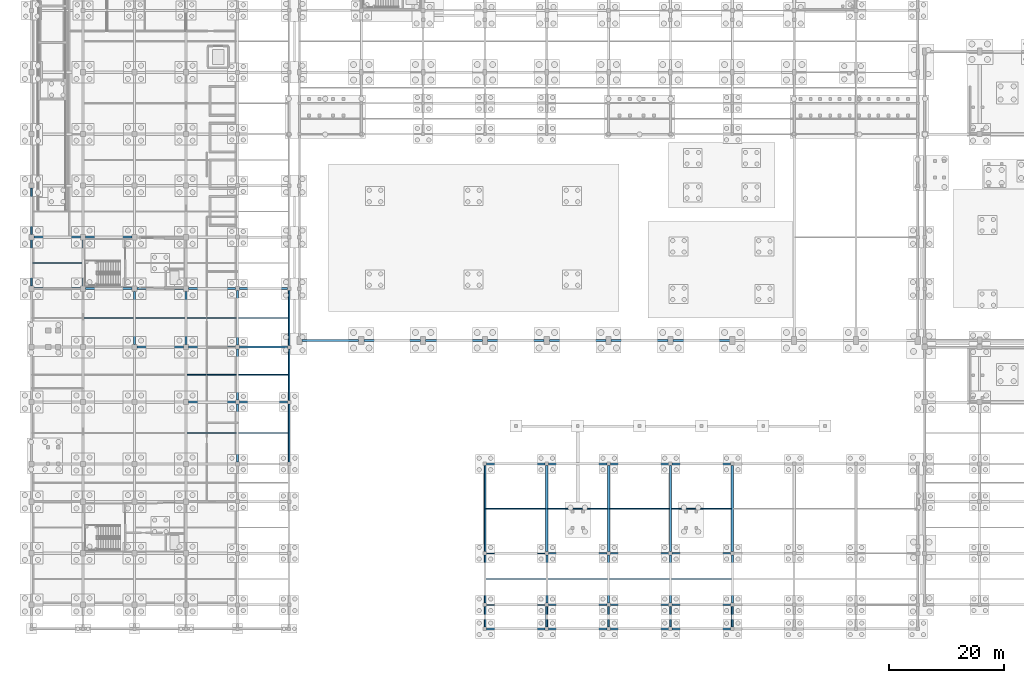
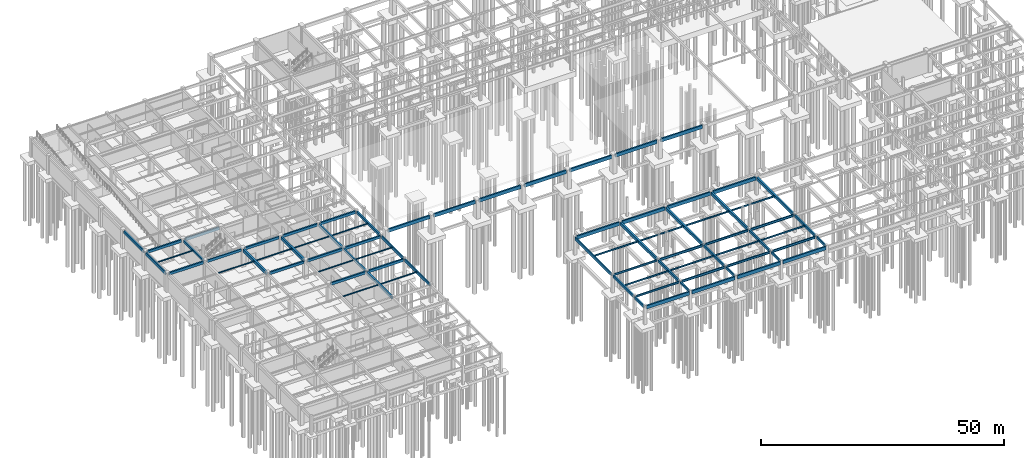
# One storey, part 15 of 33: 78 beams.
"""IFC4 building model written with IfcOpenShell, lengths in metres."""

from ifc_helpers import new_model, si_unit, direction, frame, origin, origin_2d, place, context, subcontext, project, spatial, rectangle, i_section, extrude, material, material_profile, profile_set, type_object, element, save


model = new_model("IFC4")

# Units and contexts
model_context = context("Model", 3, precision=1e-05, world=origin(), true_north=direction((0.0, 1.0)))
body_context = subcontext(model_context, "Body", "Model", "MODEL_VIEW")
ifc_project = project(units=[si_unit("LENGTHUNIT", "METRE"), si_unit("AREAUNIT", "SQUARE_METRE"), si_unit("VOLUMEUNIT", "CUBIC_METRE"), si_unit("PLANEANGLEUNIT", "RADIAN"), si_unit("MASSUNIT", "GRAM", prefix="KILO")], contexts=[model_context])

# Site, building, storey
site_placement = place(None, origin())
site = spatial("IfcSite", under=ifc_project, at=site_placement, CompositionType="ELEMENT")
building_placement = place(site_placement, origin())
building = spatial("IfcBuilding", under=site, at=building_placement, Name="Suirenkawa Promenade Aquatics Centre", CompositionType="ELEMENT")
storey_placement = place(building_placement, frame((0.0, 0.0, -4.800048828125)))
storey = spatial("IfcBuildingStorey", under=building, at=storey_placement, Name="B1", CompositionType="ELEMENT", Elevation=-4.800048828125)

# Beams
ifc_material_1 = material(Name="Steel IS 2062 E350 (Grade 350)", Category="steel")
ifc_material_profile_1 = material_profile(ifc_material_1, i_section(OverallWidth=0.139892578125, OverallDepth=0.300048828125, WebThickness=0.008056640625, FlangeThickness=0.012939453125, at=origin_2d()), Name="ISMB 300", Category="steel")
ifc_profile_set_1 = profile_set([ifc_material_profile_1], Name="Steel IS 2062 E350 (Grade 350)")
beam_type_1 = type_object("IfcBeamType", Name="BT-JOIST-ISMB300", PredefinedType="JOIST", material=ifc_profile_set_1)
beam_1_placement = place(storey_placement, frame((0.14404296875, 63.89990234375, 4.34814453125), z_axis=(1.0, 0.0, 0.0), x_axis=(0.0, 1.0, 0.0)))
element("IfcBeam", 1, at=beam_1_placement, inside=storey, type_object=beam_type_1, Name="Secondary floor joist JS-02 BM-0151", PredefinedType="JOIST", context=body_context, shape_type="SweptSolid", body=[
    extrude(i_section(OverallWidth=0.139892578125, OverallDepth=0.300048828125, WebThickness=0.008056640625, FlangeThickness=0.012939453125, at=origin_2d()), origin(), (0.0, 0.0, 1.0), 8.68701171875),
])
for number, where, z_axis, x_axis, name in (
    (2, (9.194091796875, 54.300048828125, 4.34814453125), (1.0, 0.0, 0.0), (0.0, 1.0, 0.0), "Secondary floor joist JS-02 BM-0157"),
    (3, (18.194091796875, 54.300048828125, 4.34814453125), (1.0, 0.0, 0.0), (0.0, 1.0, 0.0), "Secondary floor joist JS-02 BM-0168"),
    (4, (27.194091796875, 34.199951171875, 4.34814453125), (1.0, 0.0, 0.0), (0.0, 1.0, 0.0), "Secondary floor joist JS-02 BM-0178"),
):
    element("IfcBeam", number, at=place(storey_placement, frame(where, z_axis=z_axis, x_axis=x_axis)), inside=storey, type_object=beam_type_1, Name=name, PredefinedType="JOIST", context=body_context, shape_type="SweptSolid", body=[
        extrude(i_section(OverallWidth=0.139892578125, OverallDepth=0.300048828125, WebThickness=0.008056640625, FlangeThickness=0.012939453125, at=origin_2d()), origin(), (0.0, 0.0, 1.0), 8.61181640625),
    ])
beam_2_placement = place(storey_placement, frame((27.1689453125, 44.39990234375, 4.34814453125), z_axis=(1.0, 0.0, 0.0), x_axis=(0.0, 1.0, 0.0)))
element("IfcBeam", 5, at=beam_2_placement, inside=storey, type_object=beam_type_1, Name="Secondary floor joist JS-02 BM-0179", PredefinedType="JOIST", context=body_context, shape_type="SweptSolid", body=[
    extrude(i_section(OverallWidth=0.139892578125, OverallDepth=0.300048828125, WebThickness=0.008056640625, FlangeThickness=0.012939453125, at=origin_2d()), origin(), (0.0, 0.0, 1.0), 8.662109375),
])
beam_3_placement = place(storey_placement, frame((27.194091796875, 54.300048828125, 4.34814453125), z_axis=(1.0, 0.0, 0.0), x_axis=(0.0, 1.0, 0.0)))
element("IfcBeam", 6, at=beam_3_placement, inside=storey, type_object=beam_type_1, Name="Secondary floor joist JS-02 BM-0180", PredefinedType="JOIST", context=body_context, shape_type="SweptSolid", body=[
    extrude(i_section(OverallWidth=0.139892578125, OverallDepth=0.300048828125, WebThickness=0.008056640625, FlangeThickness=0.012939453125, at=origin_2d()), origin(), (0.0, 0.0, 1.0), 8.61181640625),
])
beam_4_placement = place(storey_placement, frame((36.194091796875, 34.199951171875, 4.34814453125), z_axis=(1.0, 0.0, 0.0), x_axis=(0.0, 1.0, 0.0)))
element("IfcBeam", 7, at=beam_4_placement, inside=storey, type_object=beam_type_1, Name="Secondary floor joist JS-02 BM-0190", PredefinedType="JOIST", context=body_context, shape_type="SweptSolid", body=[
    extrude(i_section(OverallWidth=0.139892578125, OverallDepth=0.300048828125, WebThickness=0.008056640625, FlangeThickness=0.012939453125, at=origin_2d()), origin(), (0.0, 0.0, 1.0), 8.661865234375),
])
beam_5_placement = place(storey_placement, frame((36.1689453125, 44.39990234375, 4.34814453125), z_axis=(1.0, 0.0, 0.0), x_axis=(0.0, 1.0, 0.0)))
element("IfcBeam", 8, at=beam_5_placement, inside=storey, type_object=beam_type_1, Name="Secondary floor joist JS-02 BM-0191", PredefinedType="JOIST", context=body_context, shape_type="SweptSolid", body=[
    extrude(i_section(OverallWidth=0.139892578125, OverallDepth=0.300048828125, WebThickness=0.008056640625, FlangeThickness=0.012939453125, at=origin_2d()), origin(), (0.0, 0.0, 1.0), 8.68701171875),
])
beam_6_placement = place(storey_placement, frame((36.194091796875, 54.300048828125, 4.34814453125), z_axis=(1.0, 0.0, 0.0), x_axis=(0.0, 1.0, 0.0)))
element("IfcBeam", 9, at=beam_6_placement, inside=storey, type_object=beam_type_1, Name="Secondary floor joist JS-02 BM-0192", PredefinedType="JOIST", context=body_context, shape_type="SweptSolid", body=[
    extrude(i_section(OverallWidth=0.139892578125, OverallDepth=0.300048828125, WebThickness=0.008056640625, FlangeThickness=0.012939453125, at=origin_2d()), origin(), (0.0, 0.0, 1.0), 8.661865234375),
])
ifc_material_profile_2 = material_profile(ifc_material_1, i_section(OverallWidth=0.139892578125, OverallDepth=0.39990234375, WebThickness=0.009033203125, FlangeThickness=0.01611328125, at=origin_2d()), Name="ISMB 400", Category="steel")
ifc_profile_set_2 = profile_set([ifc_material_profile_2], Name="Steel IS 2062 E350 (Grade 350)")
beam_type_2 = type_object("IfcBeamType", Name="BT-JOIST-ISMB400", PredefinedType="JOIST", material=ifc_profile_set_2)
beam_7_placement = place(storey_placement, frame((79.343994140625, 8.699951171875, 4.318115234375), z_axis=(1.0, 0.0, 0.0), x_axis=(0.0, 1.0, 0.0)))
element("IfcBeam", 10, at=beam_7_placement, inside=storey, type_object=beam_type_2, Name="Secondary floor joist JS-04 BM-1483", PredefinedType="JOIST", context=body_context, shape_type="SweptSolid", body=[
    extrude(i_section(OverallWidth=0.139892578125, OverallDepth=0.39990234375, WebThickness=0.009033203125, FlangeThickness=0.01611328125, at=origin_2d()), origin(), (0.0, 0.0, 1.0), 10.487060546875),
])
beam_8_placement = place(storey_placement, frame((79.343994140625, 21.0, 4.318115234375), z_axis=(1.0, 0.0, 0.0), x_axis=(0.0, 1.0, 0.0)))
element("IfcBeam", 11, at=beam_8_placement, inside=storey, type_object=beam_type_2, Name="Secondary floor joist JS-04 BM-1484", PredefinedType="JOIST", context=body_context, shape_type="SweptSolid", body=[
    extrude(i_section(OverallWidth=0.139892578125, OverallDepth=0.39990234375, WebThickness=0.009033203125, FlangeThickness=0.01611328125, at=origin_2d()), origin(), (0.0, 0.0, 1.0), 10.4619140625),
])
beam_9_placement = place(storey_placement, frame((90.1689453125, 8.699951171875, 4.318115234375), z_axis=(1.0, 0.0, 0.0), x_axis=(0.0, 1.0, 0.0)))
element("IfcBeam", 12, at=beam_9_placement, inside=storey, type_object=beam_type_2, Name="Secondary floor joist JS-04 BM-1485", PredefinedType="JOIST", context=body_context, shape_type="SweptSolid", body=[
    extrude(i_section(OverallWidth=0.139892578125, OverallDepth=0.39990234375, WebThickness=0.009033203125, FlangeThickness=0.01611328125, at=origin_2d()), origin(), (0.0, 0.0, 1.0), 10.462158203125),
])
beam_10_placement = place(storey_placement, frame((90.194091796875, 21.0, 4.318115234375), z_axis=(1.0, 0.0, 0.0), x_axis=(0.0, 1.0, 0.0)))
element("IfcBeam", 13, at=beam_10_placement, inside=storey, type_object=beam_type_2, Name="Secondary floor joist JS-04 BM-1486", PredefinedType="JOIST", context=body_context, shape_type="SweptSolid", body=[
    extrude(i_section(OverallWidth=0.139892578125, OverallDepth=0.39990234375, WebThickness=0.009033203125, FlangeThickness=0.01611328125, at=origin_2d()), origin(), (0.0, 0.0, 1.0), 10.411865234375),
])
beam_11_placement = place(storey_placement, frame((100.968994140625, 8.699951171875, 4.318115234375), z_axis=(1.0, 0.0, 0.0), x_axis=(0.0, 1.0, 0.0)))
element("IfcBeam", 14, at=beam_11_placement, inside=storey, type_object=beam_type_2, Name="Secondary floor joist JS-04 BM-1487", PredefinedType="JOIST", context=body_context, shape_type="SweptSolid", body=[
    extrude(i_section(OverallWidth=0.139892578125, OverallDepth=0.39990234375, WebThickness=0.009033203125, FlangeThickness=0.01611328125, at=origin_2d()), origin(), (0.0, 0.0, 1.0), 10.4619140625),
])
beam_12_placement = place(storey_placement, frame((100.993896484375, 21.0, 4.318115234375), z_axis=(1.0, 0.0, 0.0), x_axis=(0.0, 1.0, 0.0)))
element("IfcBeam", 15, at=beam_12_placement, inside=storey, type_object=beam_type_2, Name="Secondary floor joist JS-04 BM-1488", PredefinedType="JOIST", context=body_context, shape_type="SweptSolid", body=[
    extrude(i_section(OverallWidth=0.139892578125, OverallDepth=0.39990234375, WebThickness=0.009033203125, FlangeThickness=0.01611328125, at=origin_2d()), origin(), (0.0, 0.0, 1.0), 10.412109375),
])
beam_13_placement = place(storey_placement, frame((111.76904296875, 8.699951171875, 4.318115234375), z_axis=(1.0, 0.0, 0.0), x_axis=(0.0, 1.0, 0.0)))
element("IfcBeam", 16, at=beam_13_placement, inside=storey, type_object=beam_type_2, Name="Secondary floor joist JS-04 BM-1489", PredefinedType="JOIST", context=body_context, shape_type="SweptSolid", body=[
    extrude(i_section(OverallWidth=0.139892578125, OverallDepth=0.39990234375, WebThickness=0.009033203125, FlangeThickness=0.01611328125, at=origin_2d()), origin(), (0.0, 0.0, 1.0), 10.4619140625),
])
beam_14_placement = place(storey_placement, frame((111.7939453125, 21.0, 4.318115234375), z_axis=(1.0, 0.0, 0.0), x_axis=(0.0, 1.0, 0.0)))
element("IfcBeam", 17, at=beam_14_placement, inside=storey, type_object=beam_type_2, Name="Secondary floor joist JS-04 BM-1490", PredefinedType="JOIST", context=body_context, shape_type="SweptSolid", body=[
    extrude(i_section(OverallWidth=0.139892578125, OverallDepth=0.39990234375, WebThickness=0.009033203125, FlangeThickness=0.01611328125, at=origin_2d()), origin(), (0.0, 0.0, 1.0), 10.412109375),
])
ifc_material_2 = material(Name="Concrete M35", Category="concrete")
ifc_material_profile_3 = material_profile(ifc_material_2, rectangle(XDim=0.300048828125, YDim=0.550048828125, at=origin_2d()), Name="RC BM 300x550", Category="concrete")
ifc_profile_set_3 = profile_set([ifc_material_profile_3], Name="Concrete M35")
beam_type_3 = type_object("IfcBeamType", Name="BT-RC-300x550", PredefinedType="BEAM", material=ifc_profile_set_3)
for number, where, z_axis, x_axis, name in (
    (18, (90.0, 0.2939453125, 4.2451171875), (0.0, 1.0, 0.0), (-1.0, 0.0, 0.0), "Floor beam BM-01 BM-1462"),
    (19, (100.800048828125, 0.2939453125, 4.2451171875), (0.0, 1.0, 0.0), (-1.0, 0.0, 0.0), "Floor beam BM-01 BM-1465"),
    (20, (111.60009765625, 0.2939453125, 4.2451171875), (0.0, 1.0, 0.0), (-1.0, 0.0, 0.0), "Floor beam BM-01 BM-1468"),
    (21, (122.39990234375, 0.2939453125, 4.2451171875), (0.0, 1.0, 0.0), (-1.0, 0.0, 0.0), "Floor beam BM-01 BM-1471"),
):
    element("IfcBeam", number, at=place(storey_placement, frame(where, z_axis=z_axis, x_axis=x_axis)), inside=storey, type_object=beam_type_3, Name=name, PredefinedType="BEAM", context=body_context, shape_type="SweptSolid", body=[
        extrude(rectangle(XDim=0.300048828125, YDim=0.550048828125, at=origin_2d()), origin(), (0.0, 0.0, 1.0), 3.612060546875),
    ])
ifc_material_profile_4 = material_profile(ifc_material_2, rectangle(XDim=0.35009765625, YDim=0.60009765625, at=origin_2d()), Name="RC BM 350x600", Category="concrete")
ifc_profile_set_4 = profile_set([ifc_material_profile_4], Name="Concrete M35")
beam_type_4 = type_object("IfcBeamType", Name="BT-RC-350x600", PredefinedType="BEAM", material=ifc_profile_set_4)
beam_15_placement = place(storey_placement, frame((9.0, 59.843994140625, 4.199951171875), z_axis=(0.0, 1.0, 0.0), x_axis=(-1.0, 0.0, 0.0)))
element("IfcBeam", 22, at=beam_15_placement, inside=storey, type_object=beam_type_4, Name="Floor beam BM-02 BM-0087", PredefinedType="BEAM", context=body_context, shape_type="SweptSolid", body=[
    extrude(rectangle(XDim=0.35009765625, YDim=0.60009765625, at=origin_2d()), origin(), (0.0, 0.0, 1.0), 8.112060546875),
])
beam_16_placement = place(storey_placement, frame((36.0, 39.944091796875, 4.199951171875), z_axis=(0.0, 1.0, 0.0), x_axis=(-1.0, 0.0, 0.0)))
element("IfcBeam", 23, at=beam_16_placement, inside=storey, type_object=beam_type_4, Name="Floor beam BM-02 BM-0124", PredefinedType="BEAM", context=body_context, shape_type="SweptSolid", body=[
    extrude(rectangle(XDim=0.35009765625, YDim=0.60009765625, at=origin_2d()), origin(), (0.0, 0.0, 1.0), 8.911865234375),
])
for number, where, z_axis, x_axis, name in (
    (24, (90.0, 4.493896484375, 4.219970703125), (0.0, 1.0, 0.0), (-1.0, 0.0, 0.0), "Floor beam BM-02 BM-1463"),
    (25, (100.800048828125, 4.493896484375, 4.219970703125), (0.0, 1.0, 0.0), (-1.0, 0.0, 0.0), "Floor beam BM-02 BM-1466"),
    (26, (111.60009765625, 4.493896484375, 4.219970703125), (0.0, 1.0, 0.0), (-1.0, 0.0, 0.0), "Floor beam BM-02 BM-1469"),
    (27, (122.39990234375, 4.493896484375, 4.219970703125), (0.0, 1.0, 0.0), (-1.0, 0.0, 0.0), "Floor beam BM-02 BM-1472"),
):
    element("IfcBeam", number, at=place(storey_placement, frame(where, z_axis=z_axis, x_axis=x_axis)), inside=storey, type_object=beam_type_4, Name=name, PredefinedType="BEAM", context=body_context, shape_type="SweptSolid", body=[
        extrude(rectangle(XDim=0.35009765625, YDim=0.60009765625, at=origin_2d()), origin(), (0.0, 0.0, 1.0), 8.412109375),
    ])
ifc_material_profile_5 = material_profile(ifc_material_2, rectangle(XDim=0.35009765625, YDim=0.64990234375, at=origin_2d()), Name="RC BM 350x650", Category="concrete")
ifc_profile_set_5 = profile_set([ifc_material_profile_5], Name="Concrete M35")
beam_type_5 = type_object("IfcBeamType", Name="BT-RC-350x650", PredefinedType="BEAM", material=ifc_profile_set_5)
beam_17_placement = place(storey_placement, frame((27.444091796875, 39.60009765625, 4.175048828125), z_axis=(1.0, 0.0, 0.0), x_axis=(0.0, 1.0, 0.0)))
element("IfcBeam", 28, at=beam_17_placement, inside=storey, type_object=beam_type_5, Name="Floor beam BM-03 BM-0029", PredefinedType="BEAM", context=body_context, shape_type="SweptSolid", body=[
    extrude(rectangle(XDim=0.35009765625, YDim=0.64990234375, at=origin_2d()), origin(), (0.0, 0.0, 1.0), 8.2119140625),
])
beam_18_placement = place(storey_placement, frame((36.343994140625, 39.60009765625, 4.175048828125), z_axis=(1.0, 0.0, 0.0), x_axis=(0.0, 1.0, 0.0)))
element("IfcBeam", 29, at=beam_18_placement, inside=storey, type_object=beam_type_5, Name="Floor beam BM-03 BM-0030", PredefinedType="BEAM", context=body_context, shape_type="SweptSolid", body=[
    extrude(rectangle(XDim=0.35009765625, YDim=0.64990234375, at=origin_2d()), origin(), (0.0, 0.0, 1.0), 8.362060546875),
])
beam_19_placement = place(storey_placement, frame((18.444091796875, 49.199951171875, 4.175048828125), z_axis=(1.0, 0.0, 0.0), x_axis=(0.0, 1.0, 0.0)))
element("IfcBeam", 30, at=beam_19_placement, inside=storey, type_object=beam_type_5, Name="Floor beam BM-03 BM-0033", PredefinedType="BEAM", context=body_context, shape_type="SweptSolid", body=[
    extrude(rectangle(XDim=0.35009765625, YDim=0.64990234375, at=origin_2d()), origin(), (0.0, 0.0, 1.0), 8.11181640625),
])
beam_20_placement = place(storey_placement, frame((27.444091796875, 49.199951171875, 4.175048828125), z_axis=(1.0, 0.0, 0.0), x_axis=(0.0, 1.0, 0.0)))
element("IfcBeam", 31, at=beam_20_placement, inside=storey, type_object=beam_type_5, Name="Floor beam BM-03 BM-0034", PredefinedType="BEAM", context=body_context, shape_type="SweptSolid", body=[
    extrude(rectangle(XDim=0.35009765625, YDim=0.64990234375, at=origin_2d()), origin(), (0.0, 0.0, 1.0), 8.2119140625),
])
beam_21_placement = place(storey_placement, frame((36.343994140625, 49.199951171875, 4.175048828125), z_axis=(1.0, 0.0, 0.0), x_axis=(0.0, 1.0, 0.0)))
element("IfcBeam", 32, at=beam_21_placement, inside=storey, type_object=beam_type_5, Name="Floor beam BM-03 BM-0035", PredefinedType="BEAM", context=body_context, shape_type="SweptSolid", body=[
    extrude(rectangle(XDim=0.35009765625, YDim=0.64990234375, at=origin_2d()), origin(), (0.0, 0.0, 1.0), 8.362060546875),
])
for number, where, z_axis, x_axis, name in (
    (33, (0.444091796875, 59.39990234375, 4.175048828125), (1.0, 0.0, 0.0), (0.0, 1.0, 0.0), "Floor beam BM-03 BM-0036"),
    (34, (9.444091796875, 59.39990234375, 4.175048828125), (1.0, 0.0, 0.0), (0.0, 1.0, 0.0), "Floor beam BM-03 BM-0037"),
    (35, (18.444091796875, 59.39990234375, 4.175048828125), (1.0, 0.0, 0.0), (0.0, 1.0, 0.0), "Floor beam BM-03 BM-0038"),
):
    element("IfcBeam", number, at=place(storey_placement, frame(where, z_axis=z_axis, x_axis=x_axis)), inside=storey, type_object=beam_type_5, Name=name, PredefinedType="BEAM", context=body_context, shape_type="SweptSolid", body=[
        extrude(rectangle(XDim=0.35009765625, YDim=0.64990234375, at=origin_2d()), origin(), (0.0, 0.0, 1.0), 8.11181640625),
    ])
beam_22_placement = place(storey_placement, frame((27.444091796875, 59.39990234375, 4.175048828125), z_axis=(1.0, 0.0, 0.0), x_axis=(0.0, 1.0, 0.0)))
element("IfcBeam", 36, at=beam_22_placement, inside=storey, type_object=beam_type_5, Name="Floor beam BM-03 BM-0039", PredefinedType="BEAM", context=body_context, shape_type="SweptSolid", body=[
    extrude(rectangle(XDim=0.35009765625, YDim=0.64990234375, at=origin_2d()), origin(), (0.0, 0.0, 1.0), 8.2119140625),
])
beam_23_placement = place(storey_placement, frame((36.343994140625, 59.39990234375, 4.175048828125), z_axis=(1.0, 0.0, 0.0), x_axis=(0.0, 1.0, 0.0)))
element("IfcBeam", 37, at=beam_23_placement, inside=storey, type_object=beam_type_5, Name="Floor beam BM-03 BM-0040", PredefinedType="BEAM", context=body_context, shape_type="SweptSolid", body=[
    extrude(rectangle(XDim=0.35009765625, YDim=0.64990234375, at=origin_2d()), origin(), (0.0, 0.0, 1.0), 8.362060546875),
])
for number, where, z_axis, x_axis, name in (
    (38, (0.444091796875, 68.39990234375, 4.175048828125), (1.0, 0.0, 0.0), (0.0, 1.0, 0.0), "Floor beam BM-03 BM-0041"),
    (39, (9.444091796875, 68.39990234375, 4.175048828125), (1.0, 0.0, 0.0), (0.0, 1.0, 0.0), "Floor beam BM-03 BM-0042"),
):
    element("IfcBeam", number, at=place(storey_placement, frame(where, z_axis=z_axis, x_axis=x_axis)), inside=storey, type_object=beam_type_5, Name=name, PredefinedType="BEAM", context=body_context, shape_type="SweptSolid", body=[
        extrude(rectangle(XDim=0.35009765625, YDim=0.64990234375, at=origin_2d()), origin(), (0.0, 0.0, 1.0), 8.11181640625),
    ])
ifc_material_3 = material(Name="Concrete M40", Category="concrete")
ifc_material_profile_6 = material_profile(ifc_material_3, rectangle(XDim=0.39990234375, YDim=0.75, at=origin_2d()), Name="RC BM 400x750", Category="concrete")
ifc_profile_set_6 = profile_set([ifc_material_profile_6], Name="Concrete M40")
beam_type_6 = type_object("IfcBeamType", Name="BT-RC-400x750", PredefinedType="BEAM", material=ifc_profile_set_6)
for number, where, z_axis, x_axis, name in (
    (40, (18.0, 49.64404296875, 4.125), (0.0, 1.0, 0.0), (-1.0, 0.0, 0.0), "Floor beam BM-05 BM-0099"),
    (41, (27.0, 49.64404296875, 4.125), (0.0, 1.0, 0.0), (-1.0, 0.0, 0.0), "Floor beam BM-05 BM-0112"),
):
    element("IfcBeam", number, at=place(storey_placement, frame(where, z_axis=z_axis, x_axis=x_axis)), inside=storey, type_object=beam_type_6, Name=name, PredefinedType="BEAM", context=body_context, shape_type="SweptSolid", body=[
        extrude(rectangle(XDim=0.39990234375, YDim=0.75, at=origin_2d()), origin(), (0.0, 0.0, 1.0), 9.31201171875),
    ])
beam_24_placement = place(storey_placement, frame((36.0, 29.14404296875, 4.125), z_axis=(0.0, 1.0, 0.0), x_axis=(-1.0, 0.0, 0.0)))
element("IfcBeam", 42, at=beam_24_placement, inside=storey, type_object=beam_type_6, Name="Floor beam BM-05 BM-0123", PredefinedType="BEAM", context=body_context, shape_type="SweptSolid", body=[
    extrude(rectangle(XDim=0.39990234375, YDim=0.75, at=origin_2d()), origin(), (0.0, 0.0, 1.0), 10.112060546875),
])
beam_25_placement = place(storey_placement, frame((36.0, 49.5439453125, 4.125), z_axis=(0.0, 1.0, 0.0), x_axis=(-1.0, 0.0, 0.0)))
element("IfcBeam", 43, at=beam_25_placement, inside=storey, type_object=beam_type_6, Name="Floor beam BM-05 BM-0125", PredefinedType="BEAM", context=body_context, shape_type="SweptSolid", body=[
    extrude(rectangle(XDim=0.39990234375, YDim=0.75, at=origin_2d()), origin(), (0.0, 0.0, 1.0), 9.511962890625),
])
for number, where, z_axis, x_axis, name in (
    (44, (90.0, 13.493896484375, 4.14501953125), (0.0, 1.0, 0.0), (-1.0, 0.0, 0.0), "Floor beam BM-05 BM-1464"),
    (45, (100.800048828125, 13.493896484375, 4.14501953125), (0.0, 1.0, 0.0), (-1.0, 0.0, 0.0), "Floor beam BM-05 BM-1467"),
    (46, (111.60009765625, 13.493896484375, 4.14501953125), (0.0, 1.0, 0.0), (-1.0, 0.0, 0.0), "Floor beam BM-05 BM-1470"),
    (47, (122.39990234375, 13.493896484375, 4.14501953125), (0.0, 1.0, 0.0), (-1.0, 0.0, 0.0), "Floor beam BM-05 BM-1473"),
):
    element("IfcBeam", number, at=place(storey_placement, frame(where, z_axis=z_axis, x_axis=x_axis)), inside=storey, type_object=beam_type_6, Name=name, PredefinedType="BEAM", context=body_context, shape_type="SweptSolid", body=[
        extrude(rectangle(XDim=0.39990234375, YDim=0.75, at=origin_2d()), origin(), (0.0, 0.0, 1.0), 15.01220703125),
    ])
ifc_material_profile_7 = material_profile(ifc_material_3, rectangle(XDim=0.300048828125, YDim=0.699951171875, at=origin_2d()), Name="RC SPANDREL 300x700", Category="concrete")
ifc_profile_set_7 = profile_set([ifc_material_profile_7], Name="Concrete M40")
beam_type_7 = type_object("IfcBeamType", Name="BT-SPANDREL-300x700", PredefinedType="SPANDREL", material=ifc_profile_set_7)
for number, where, z_axis, x_axis, name in (
    (48, (0.0, 59.843994140625, 4.150146484375), (0.0, 1.0, 0.0), (-1.0, 0.0, 0.0), "Floor beam SP-01 BM-0074"),
    (49, (0.0, 68.843994140625, 4.150146484375), (0.0, 1.0, 0.0), (-1.0, 0.0, 0.0), "Floor beam SP-01 BM-0075"),
):
    element("IfcBeam", number, at=place(storey_placement, frame(where, z_axis=z_axis, x_axis=x_axis)), inside=storey, type_object=beam_type_7, Name=name, PredefinedType="SPANDREL", context=body_context, shape_type="SweptSolid", body=[
        extrude(rectangle(XDim=0.300048828125, YDim=0.699951171875, at=origin_2d()), origin(), (0.0, 0.0, 1.0), 8.112060546875),
    ])
beam_26_placement = place(storey_placement, frame((45.0, 29.093994140625, 4.150146484375), z_axis=(0.0, 1.0, 0.0), x_axis=(-1.0, 0.0, 0.0)))
element("IfcBeam", 50, at=beam_26_placement, inside=storey, type_object=beam_type_7, Name="Floor beam SP-01 BM-0136", PredefinedType="SPANDREL", context=body_context, shape_type="SweptSolid", body=[
    extrude(rectangle(XDim=0.300048828125, YDim=0.699951171875, at=origin_2d()), origin(), (0.0, 0.0, 1.0), 10.2119140625),
])
beam_27_placement = place(storey_placement, frame((45.0, 39.89404296875, 4.150146484375), z_axis=(0.0, 1.0, 0.0), x_axis=(-1.0, 0.0, 0.0)))
element("IfcBeam", 51, at=beam_27_placement, inside=storey, type_object=beam_type_7, Name="Floor beam SP-01 BM-0137", PredefinedType="SPANDREL", context=body_context, shape_type="SweptSolid", body=[
    extrude(rectangle(XDim=0.300048828125, YDim=0.699951171875, at=origin_2d()), origin(), (0.0, 0.0, 1.0), 9.011962890625),
])
beam_28_placement = place(storey_placement, frame((45.0, 49.493896484375, 4.150146484375), z_axis=(0.0, 1.0, 0.0), x_axis=(-1.0, 0.0, 0.0)))
element("IfcBeam", 52, at=beam_28_placement, inside=storey, type_object=beam_type_7, Name="Floor beam SP-01 BM-0138", PredefinedType="SPANDREL", context=body_context, shape_type="SweptSolid", body=[
    extrude(rectangle(XDim=0.300048828125, YDim=0.699951171875, at=origin_2d()), origin(), (0.0, 0.0, 1.0), 9.612060546875),
])
beam_29_placement = place(storey_placement, frame((79.199951171875, 0.2939453125, 4.170166015625), z_axis=(0.0, 1.0, 0.0), x_axis=(-1.0, 0.0, 0.0)))
element("IfcBeam", 53, at=beam_29_placement, inside=storey, type_object=beam_type_7, Name="Floor beam SP-01 BM-1459", PredefinedType="SPANDREL", context=body_context, shape_type="SweptSolid", body=[
    extrude(rectangle(XDim=0.300048828125, YDim=0.699951171875, at=origin_2d()), origin(), (0.0, 0.0, 1.0), 3.612060546875),
])
beam_30_placement = place(storey_placement, frame((79.199951171875, 4.493896484375, 4.170166015625), z_axis=(0.0, 1.0, 0.0), x_axis=(-1.0, 0.0, 0.0)))
element("IfcBeam", 54, at=beam_30_placement, inside=storey, type_object=beam_type_7, Name="Floor beam SP-01 BM-1460", PredefinedType="SPANDREL", context=body_context, shape_type="SweptSolid", body=[
    extrude(rectangle(XDim=0.300048828125, YDim=0.699951171875, at=origin_2d()), origin(), (0.0, 0.0, 1.0), 8.412109375),
])
beam_31_placement = place(storey_placement, frame((79.199951171875, 13.493896484375, 4.170166015625), z_axis=(0.0, 1.0, 0.0), x_axis=(-1.0, 0.0, 0.0)))
element("IfcBeam", 55, at=beam_31_placement, inside=storey, type_object=beam_type_7, Name="Floor beam SP-01 BM-1461", PredefinedType="SPANDREL", context=body_context, shape_type="SweptSolid", body=[
    extrude(rectangle(XDim=0.300048828125, YDim=0.699951171875, at=origin_2d()), origin(), (0.0, 0.0, 1.0), 15.01220703125),
])
ifc_material_profile_8 = material_profile(ifc_material_3, rectangle(XDim=0.35009765625, YDim=0.85009765625, at=origin_2d()), Name="RC SPANDREL 350x850", Category="concrete")
ifc_profile_set_8 = profile_set([ifc_material_profile_8], Name="Concrete M40")
beam_type_8 = type_object("IfcBeamType", Name="BT-SPANDREL-350x850", PredefinedType="SPANDREL", material=ifc_profile_set_8)
for number, where, z_axis, x_axis, name in (
    (56, (47.243896484375, 50.39990234375, 4.074951171875), (1.0, 0.0, 0.0), (0.0, 1.0, 0.0), "Floor beam SP-02 BM-0908"),
    (57, (58.0439453125, 50.39990234375, 4.074951171875), (1.0, 0.0, 0.0), (0.0, 1.0, 0.0), "Floor beam SP-02 BM-0909"),
    (58, (68.843994140625, 50.39990234375, 4.074951171875), (1.0, 0.0, 0.0), (0.0, 1.0, 0.0), "Floor beam SP-02 BM-0910"),
):
    element("IfcBeam", number, at=place(storey_placement, frame(where, z_axis=z_axis, x_axis=x_axis)), inside=storey, type_object=beam_type_8, Name=name, PredefinedType="SPANDREL", context=body_context, shape_type="SweptSolid", body=[
        extrude(rectangle(XDim=0.35009765625, YDim=0.85009765625, at=origin_2d()), origin(), (0.0, 0.0, 1.0), 9.912109375),
    ])
for number, where, z_axis, x_axis, name in (
    (59, (79.64404296875, 50.39990234375, 4.074951171875), (1.0, 0.0, 0.0), (0.0, 1.0, 0.0), "Floor beam SP-02 BM-0911"),
    (60, (90.444091796875, 50.39990234375, 4.074951171875), (1.0, 0.0, 0.0), (0.0, 1.0, 0.0), "Floor beam SP-02 BM-0912"),
):
    element("IfcBeam", number, at=place(storey_placement, frame(where, z_axis=z_axis, x_axis=x_axis)), inside=storey, type_object=beam_type_8, Name=name, PredefinedType="SPANDREL", context=body_context, shape_type="SweptSolid", body=[
        extrude(rectangle(XDim=0.35009765625, YDim=0.85009765625, at=origin_2d()), origin(), (0.0, 0.0, 1.0), 9.911865234375),
    ])
for number, where, z_axis, x_axis, name in (
    (61, (101.243896484375, 50.39990234375, 4.074951171875), (1.0, 0.0, 0.0), (0.0, 1.0, 0.0), "Floor beam SP-02 BM-0913"),
    (62, (112.0439453125, 50.39990234375, 4.074951171875), (1.0, 0.0, 0.0), (0.0, 1.0, 0.0), "Floor beam SP-02 BM-0914"),
):
    element("IfcBeam", number, at=place(storey_placement, frame(where, z_axis=z_axis, x_axis=x_axis)), inside=storey, type_object=beam_type_8, Name=name, PredefinedType="SPANDREL", context=body_context, shape_type="SweptSolid", body=[
        extrude(rectangle(XDim=0.35009765625, YDim=0.85009765625, at=origin_2d()), origin(), (0.0, 0.0, 1.0), 9.912109375),
    ])
for number, where, z_axis, x_axis, name in (
    (63, (79.493896484375, 0.0, 4.094970703125), (1.0, 0.0, 0.0), (0.0, 1.0, 0.0), "Floor beam SP-02 BM-1431"),
    (64, (90.2939453125, 0.0, 4.094970703125), (1.0, 0.0, 0.0), (0.0, 1.0, 0.0), "Floor beam SP-02 BM-1432"),
):
    element("IfcBeam", number, at=place(storey_placement, frame(where, z_axis=z_axis, x_axis=x_axis)), inside=storey, type_object=beam_type_8, Name=name, PredefinedType="SPANDREL", context=body_context, shape_type="SweptSolid", body=[
        extrude(rectangle(XDim=0.35009765625, YDim=0.85009765625, at=origin_2d()), origin(), (0.0, 0.0, 1.0), 10.212158203125),
    ])
for number, where, z_axis, x_axis, name in (
    (65, (101.093994140625, 0.0, 4.094970703125), (1.0, 0.0, 0.0), (0.0, 1.0, 0.0), "Floor beam SP-02 BM-1433"),
    (66, (111.89404296875, 0.0, 4.094970703125), (1.0, 0.0, 0.0), (0.0, 1.0, 0.0), "Floor beam SP-02 BM-1434"),
):
    element("IfcBeam", number, at=place(storey_placement, frame(where, z_axis=z_axis, x_axis=x_axis)), inside=storey, type_object=beam_type_8, Name=name, PredefinedType="SPANDREL", context=body_context, shape_type="SweptSolid", body=[
        extrude(rectangle(XDim=0.35009765625, YDim=0.85009765625, at=origin_2d()), origin(), (0.0, 0.0, 1.0), 10.2119140625),
    ])
for number, where, z_axis, x_axis, name in (
    (67, (79.493896484375, 28.800048828125, 4.094970703125), (1.0, 0.0, 0.0), (0.0, 1.0, 0.0), "Floor beam SP-02 BM-1452"),
    (68, (90.2939453125, 28.800048828125, 4.094970703125), (1.0, 0.0, 0.0), (0.0, 1.0, 0.0), "Floor beam SP-02 BM-1453"),
):
    element("IfcBeam", number, at=place(storey_placement, frame(where, z_axis=z_axis, x_axis=x_axis)), inside=storey, type_object=beam_type_8, Name=name, PredefinedType="SPANDREL", context=body_context, shape_type="SweptSolid", body=[
        extrude(rectangle(XDim=0.35009765625, YDim=0.85009765625, at=origin_2d()), origin(), (0.0, 0.0, 1.0), 10.212158203125),
    ])
for number, where, z_axis, x_axis, name in (
    (69, (101.093994140625, 28.800048828125, 4.094970703125), (1.0, 0.0, 0.0), (0.0, 1.0, 0.0), "Floor beam SP-02 BM-1454"),
    (70, (111.89404296875, 28.800048828125, 4.094970703125), (1.0, 0.0, 0.0), (0.0, 1.0, 0.0), "Floor beam SP-02 BM-1455"),
):
    element("IfcBeam", number, at=place(storey_placement, frame(where, z_axis=z_axis, x_axis=x_axis)), inside=storey, type_object=beam_type_8, Name=name, PredefinedType="SPANDREL", context=body_context, shape_type="SweptSolid", body=[
        extrude(rectangle(XDim=0.35009765625, YDim=0.85009765625, at=origin_2d()), origin(), (0.0, 0.0, 1.0), 10.2119140625),
    ])
ifc_material_profile_9 = material_profile(ifc_material_1, i_section(OverallWidth=0.179931640625, OverallDepth=0.5, WebThickness=0.010009765625, FlangeThickness=0.01708984375, at=origin_2d()), Name="ISMB 500", Category="steel")
ifc_profile_set_9 = profile_set([ifc_material_profile_9], Name="Steel IS 2062 E350 (Grade 350)")
beam_type_9 = type_object("IfcBeamType", Name="BT-STL-ISMB500", PredefinedType="BEAM", material=ifc_profile_set_9)
for number, where, z_axis, x_axis, name in (
    (71, (79.493896484375, 4.199951171875, 4.27001953125), (1.0, 0.0, 0.0), (0.0, 1.0, 0.0), "Floor beam BM-09 BM-1438"),
    (72, (79.493896484375, 13.199951171875, 4.27001953125), (1.0, 0.0, 0.0), (0.0, 1.0, 0.0), "Floor beam BM-09 BM-1445"),
):
    element("IfcBeam", number, at=place(storey_placement, frame(where, z_axis=z_axis, x_axis=x_axis)), inside=storey, type_object=beam_type_9, Name=name, PredefinedType="BEAM", context=body_context, shape_type="SweptSolid", body=[
        extrude(i_section(OverallWidth=0.179931640625, OverallDepth=0.5, WebThickness=0.010009765625, FlangeThickness=0.01708984375, at=origin_2d()), origin(), (0.0, 0.0, 1.0), 10.212158203125),
    ])
ifc_material_profile_10 = material_profile(ifc_material_1, i_section(OverallWidth=0.2099609375, OverallDepth=0.60009765625, WebThickness=0.011962890625, FlangeThickness=0.02099609375, at=origin_2d()), Name="ISMB 600", Category="steel")
ifc_profile_set_10 = profile_set([ifc_material_profile_10], Name="Steel IS 2062 E350 (Grade 350)")
beam_type_10 = type_object("IfcBeamType", Name="BT-STL-ISMB600", PredefinedType="BEAM", material=ifc_profile_set_10)
for number, where, z_axis, x_axis, name in (
    (73, (90.2939453125, 4.199951171875, 4.219970703125), (1.0, 0.0, 0.0), (0.0, 1.0, 0.0), "Floor beam BM-10 BM-1439"),
    (74, (90.2939453125, 13.199951171875, 4.219970703125), (1.0, 0.0, 0.0), (0.0, 1.0, 0.0), "Floor beam BM-10 BM-1446"),
):
    element("IfcBeam", number, at=place(storey_placement, frame(where, z_axis=z_axis, x_axis=x_axis)), inside=storey, type_object=beam_type_10, Name=name, PredefinedType="BEAM", context=body_context, shape_type="SweptSolid", body=[
        extrude(i_section(OverallWidth=0.2099609375, OverallDepth=0.60009765625, WebThickness=0.011962890625, FlangeThickness=0.02099609375, at=origin_2d()), origin(), (0.0, 0.0, 1.0), 10.212158203125),
    ])
ifc_material_profile_11 = material_profile(ifc_material_1, i_section(OverallWidth=0.25, OverallDepth=0.550048828125, WebThickness=0.010986328125, FlangeThickness=0.01806640625, at=origin_2d()), Name="ISWB 550", Category="steel")
ifc_profile_set_11 = profile_set([ifc_material_profile_11], Name="Steel IS 2062 E350 (Grade 350)")
beam_type_11 = type_object("IfcBeamType", Name="BT-STL-ISWB550", PredefinedType="BEAM", material=ifc_profile_set_11)
for number, where, z_axis, x_axis, name in (
    (75, (101.093994140625, 4.199951171875, 4.2451171875), (1.0, 0.0, 0.0), (0.0, 1.0, 0.0), "Floor beam BM-11 BM-1440"),
    (76, (101.093994140625, 13.199951171875, 4.2451171875), (1.0, 0.0, 0.0), (0.0, 1.0, 0.0), "Floor beam BM-11 BM-1447"),
):
    element("IfcBeam", number, at=place(storey_placement, frame(where, z_axis=z_axis, x_axis=x_axis)), inside=storey, type_object=beam_type_11, Name=name, PredefinedType="BEAM", context=body_context, shape_type="SweptSolid", body=[
        extrude(i_section(OverallWidth=0.25, OverallDepth=0.550048828125, WebThickness=0.010986328125, FlangeThickness=0.01806640625, at=origin_2d()), origin(), (0.0, 0.0, 1.0), 10.2119140625),
    ])
ifc_material_profile_12 = material_profile(ifc_material_1, i_section(OverallWidth=0.25, OverallDepth=0.60009765625, WebThickness=0.011962890625, FlangeThickness=0.02392578125, at=origin_2d()), Name="ISWB 600", Category="steel")
ifc_profile_set_12 = profile_set([ifc_material_profile_12], Name="Steel IS 2062 E350 (Grade 350)")
beam_type_12 = type_object("IfcBeamType", Name="BT-STL-ISWB600", PredefinedType="BEAM", material=ifc_profile_set_12)
for number, where, z_axis, x_axis, name in (
    (77, (111.89404296875, 4.199951171875, 4.219970703125), (1.0, 0.0, 0.0), (0.0, 1.0, 0.0), "Floor beam BM-12 BM-1441"),
    (78, (111.89404296875, 13.199951171875, 4.219970703125), (1.0, 0.0, 0.0), (0.0, 1.0, 0.0), "Floor beam BM-12 BM-1448"),
):
    element("IfcBeam", number, at=place(storey_placement, frame(where, z_axis=z_axis, x_axis=x_axis)), inside=storey, type_object=beam_type_12, Name=name, PredefinedType="BEAM", context=body_context, shape_type="SweptSolid", body=[
        extrude(i_section(OverallWidth=0.25, OverallDepth=0.60009765625, WebThickness=0.011962890625, FlangeThickness=0.02392578125, at=origin_2d()), origin(), (0.0, 0.0, 1.0), 10.2119140625),
    ])

save(model, "model.ifc")
